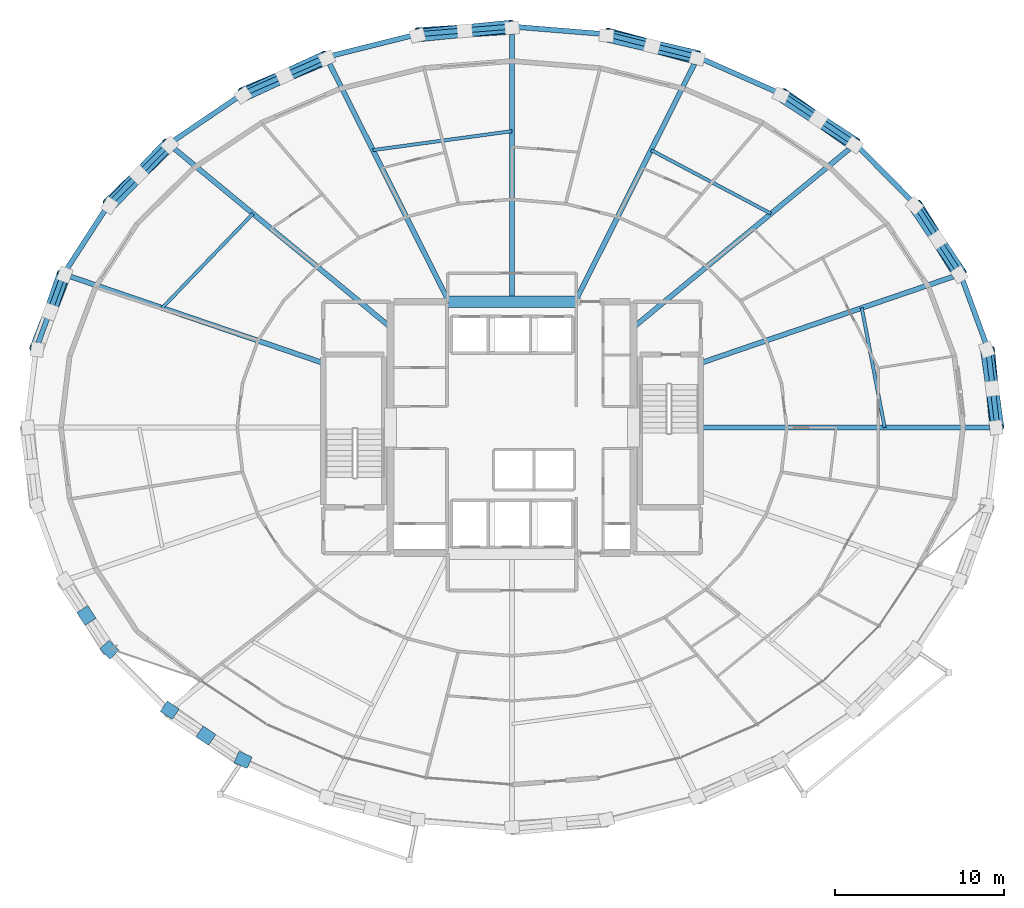
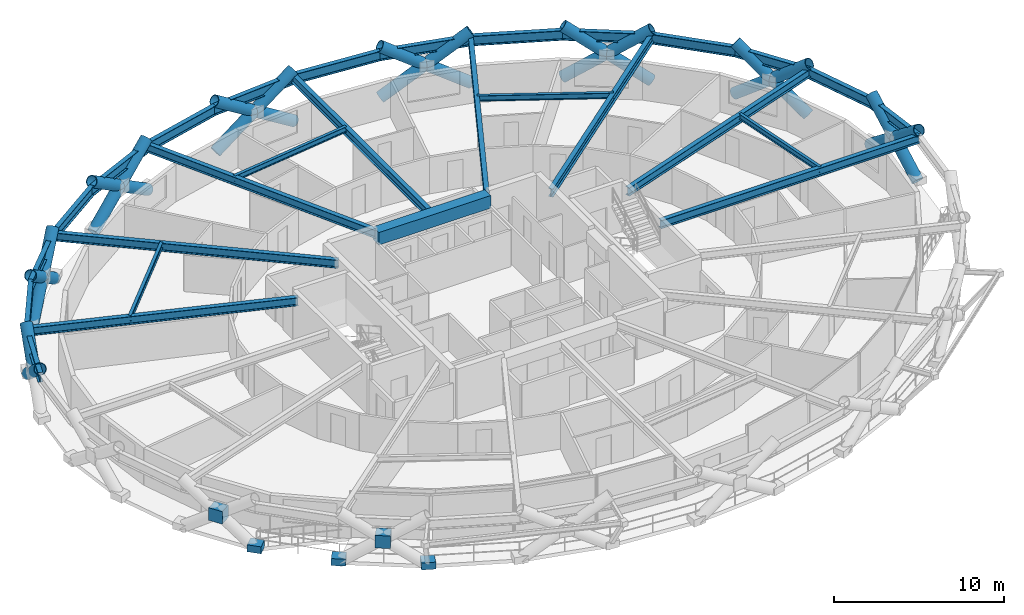
# One storey, part 13 of 21: 28 beams, 23 members, 5 plates.
"""IFC4 building model written with IfcOpenShell, lengths in metres."""

from ifc_helpers import new_model, si_unit, direction, frame, origin, origin_2d, place, context, subcontext, project, spatial, rectangle, hollow_circle, i_section, extrude, material, layer, layer_set, material_profile, profile_set, type_object, element, save


model = new_model("IFC4")

# Units and contexts
model_context = context("Model", 3, precision=1e-05, world=origin(), true_north=direction((0.0, 1.0)))
body_context = subcontext(model_context, "Body", "Model", "MODEL_VIEW")
ifc_project = project(units=[si_unit("LENGTHUNIT", "METRE"), si_unit("AREAUNIT", "SQUARE_METRE"), si_unit("VOLUMEUNIT", "CUBIC_METRE"), si_unit("PLANEANGLEUNIT", "RADIAN"), si_unit("MASSUNIT", "GRAM", prefix="KILO")], contexts=[model_context])

# Site, building, storey
site_placement = place(None, origin())
site = spatial("IfcSite", under=ifc_project, at=site_placement, CompositionType="ELEMENT")
building_placement = place(site_placement, origin())
building = spatial("IfcBuilding", under=site, at=building_placement, Name="Veldorina Hangang Commons", CompositionType="ELEMENT")
storey_placement = place(building_placement, frame((0.0, 0.0, 59.199951171875)))
storey = spatial("IfcBuildingStorey", under=building, at=storey_placement, Name="L14", CompositionType="ELEMENT", Elevation=59.199951171875)

# Beams
ifc_material_1 = material(Name="Concrete C70/85", Category="concrete")
ifc_material_profile_1 = material_profile(ifc_material_1, rectangle(XDim=0.699951171875, YDim=0.89990234375, at=origin_2d()), Name="RC-CB-700x900")
ifc_profile_set_1 = profile_set([ifc_material_profile_1], Name="Concrete C70/85")
beam_type_1 = type_object("IfcBeamType", Name="BM-CB900", PredefinedType="LINTEL", material=ifc_profile_set_1)
beam_1_placement = place(storey_placement, frame((28.199951171875, 31.449951171875, 2.89013671875), z_axis=(1.0, 0.0, 0.0), x_axis=(0.0, 1.0, 0.0)))
element("IfcBeam", 1, at=beam_1_placement, inside=storey, type_object=beam_type_1, Name="L14 north core coupling beam", PredefinedType="LINTEL", context=body_context, shape_type="SweptSolid", body=[
    extrude(rectangle(XDim=0.699951171875, YDim=0.89990234375, at=origin_2d()), origin(), (0.0, 0.0, 1.0), 7.60009765625),
])
ifc_material_2 = material(Name="Steel SM460-TMC", Category="steel")
ifc_material_profile_2 = material_profile(ifc_material_2, i_section(OverallWidth=0.300048828125, OverallDepth=0.587890625, WebThickness=0.011962890625, FlangeThickness=0.02001953125, FilletRadius=0.01806640625, at=origin_2d()), Name="H-588x300x12x20")
ifc_profile_set_2 = profile_set([ifc_material_profile_2], Name="Steel SM460-TMC")
beam_type_2 = type_object("IfcBeamType", Name="BM-FG588", PredefinedType="BEAM", material=ifc_profile_set_2)
beam_2_placement = place(storey_placement, frame((43.179931640625, 24.0, 3.046142578125), z_axis=(1.0, 0.0, 0.0), x_axis=(0.0, 1.0, 0.0)))
element("IfcBeam", 2, at=beam_2_placement, inside=storey, type_object=beam_type_2, Name="L14 radial floor girder 01", PredefinedType="BEAM", context=body_context, shape_type="SweptSolid", body=[
    extrude(i_section(OverallWidth=0.300048828125, OverallDepth=0.587890625, WebThickness=0.011962890625, FlangeThickness=0.02001953125, FilletRadius=0.01806640625, at=origin_2d()), origin(), (0.0, 0.0, 1.0), 17.57373046875),
])
beam_3_placement = place(storey_placement, frame((43.179931640625, 27.82568359375, 3.046142578125), z_axis=(0.94614147517, 0.323753469422, 0.0), x_axis=(-0.323753469422, 0.94614147517, 0.0)))
element("IfcBeam", 3, at=beam_3_placement, inside=storey, type_object=beam_type_2, Name="L14 radial floor girder 02", PredefinedType="BEAM", context=body_context, shape_type="SweptSolid", body=[
    extrude(i_section(OverallWidth=0.300048828125, OverallDepth=0.587890625, WebThickness=0.011962890625, FlangeThickness=0.02001953125, FilletRadius=0.01806640625, at=origin_2d()), origin(), (0.0, 0.0, 1.0), 16.260498046875),
])
beam_4_placement = place(storey_placement, frame((39.199951171875, 29.947998046875, 3.046142578125), z_axis=(0.770951653904, 0.636893670358, 0.0), x_axis=(-0.636893670358, 0.770951653904, 0.0)))
element("IfcBeam", 4, at=beam_4_placement, inside=storey, type_object=beam_type_2, Name="L14 radial floor girder 03", PredefinedType="BEAM", context=body_context, shape_type="SweptSolid", body=[
    extrude(i_section(OverallWidth=0.300048828125, OverallDepth=0.587890625, WebThickness=0.011962890625, FlangeThickness=0.02001953125, FilletRadius=0.01806640625, at=origin_2d()), origin(), (0.0, 0.0, 1.0), 17.033203125),
])
beam_5_placement = place(storey_placement, frame((35.7353515625, 31.449951171875, 3.046142578125), z_axis=(0.448213025421, 0.893926777674, 0.0), x_axis=(-0.893926777674, 0.448213025421, 0.0)))
element("IfcBeam", 5, at=beam_5_placement, inside=storey, type_object=beam_type_2, Name="L14 radial floor girder 04", PredefinedType="BEAM", context=body_context, shape_type="SweptSolid", body=[
    extrude(i_section(OverallWidth=0.300048828125, OverallDepth=0.587890625, WebThickness=0.011962890625, FlangeThickness=0.02001953125, FilletRadius=0.01806640625, at=origin_2d()), origin(), (0.0, 0.0, 1.0), 16.215576171875),
])
beam_6_placement = place(storey_placement, frame((32.0, 31.449951171875, 3.046142578125), z_axis=(0.0, 1.0, 0.0), x_axis=(-1.0, 0.0, 0.0)))
element("IfcBeam", 6, at=beam_6_placement, inside=storey, type_object=beam_type_2, Name="L14 radial floor girder 05", PredefinedType="BEAM", context=body_context, shape_type="SweptSolid", body=[
    extrude(i_section(OverallWidth=0.300048828125, OverallDepth=0.587890625, WebThickness=0.011962890625, FlangeThickness=0.02001953125, FilletRadius=0.01806640625, at=origin_2d()), origin(), (0.0, 0.0, 1.0), 16.3037109375),
])
beam_7_placement = place(storey_placement, frame((28.2646484375, 31.449951171875, 3.046142578125), z_axis=(-0.448213025421, 0.893926777674, 0.0), x_axis=(-0.893926777674, -0.448213025421, 0.0)))
element("IfcBeam", 7, at=beam_7_placement, inside=storey, type_object=beam_type_2, Name="L14 radial floor girder 06", PredefinedType="BEAM", context=body_context, shape_type="SweptSolid", body=[
    extrude(i_section(OverallWidth=0.300048828125, OverallDepth=0.587890625, WebThickness=0.011962890625, FlangeThickness=0.02001953125, FilletRadius=0.01806640625, at=origin_2d()), origin(), (0.0, 0.0, 1.0), 16.215576171875),
])
beam_8_placement = place(storey_placement, frame((24.800048828125, 29.947998046875, 3.046142578125), z_axis=(-0.770951653904, 0.636893670358, 0.0), x_axis=(-0.636893670358, -0.770951653904, 0.0)))
element("IfcBeam", 8, at=beam_8_placement, inside=storey, type_object=beam_type_2, Name="L14 radial floor girder 07", PredefinedType="BEAM", context=body_context, shape_type="SweptSolid", body=[
    extrude(i_section(OverallWidth=0.300048828125, OverallDepth=0.587890625, WebThickness=0.011962890625, FlangeThickness=0.02001953125, FilletRadius=0.01806640625, at=origin_2d()), origin(), (0.0, 0.0, 1.0), 17.033203125),
])
beam_9_placement = place(storey_placement, frame((20.820068359375, 27.82568359375, 3.046142578125), z_axis=(-0.94614147517, 0.323753469422, 0.0), x_axis=(-0.323753469422, -0.94614147517, 0.0)))
element("IfcBeam", 9, at=beam_9_placement, inside=storey, type_object=beam_type_2, Name="L14 radial floor girder 08", PredefinedType="BEAM", context=body_context, shape_type="SweptSolid", body=[
    extrude(i_section(OverallWidth=0.300048828125, OverallDepth=0.587890625, WebThickness=0.011962890625, FlangeThickness=0.02001953125, FilletRadius=0.01806640625, at=origin_2d()), origin(), (0.0, 0.0, 1.0), 16.260498046875),
])
ifc_material_3 = material(Name="Steel SM355-TMC", Category="steel")
ifc_material_profile_3 = material_profile(ifc_material_3, i_section(OverallWidth=0.199951171875, OverallDepth=0.39990234375, WebThickness=0.008056640625, FlangeThickness=0.012939453125, FilletRadius=0.012939453125, at=origin_2d()), Name="H-400x200x8x13")
ifc_profile_set_3 = profile_set([ifc_material_profile_3], Name="Steel SM355-TMC")
beam_type_3 = type_object("IfcBeamType", Name="BM-JST400", PredefinedType="JOIST", material=ifc_profile_set_3)
beam_10_placement = place(storey_placement, frame((54.07568359375, 24.0, 3.14013671875), z_axis=(-0.188018125295, 0.982165558631, 0.0), x_axis=(-0.982165558631, -0.188018125295, 0.0)))
element("IfcBeam", 10, at=beam_10_placement, inside=storey, type_object=beam_type_3, Name="L14 secondary floor joist 01", PredefinedType="JOIST", context=body_context, shape_type="SweptSolid", body=[
    extrude(i_section(OverallWidth=0.199951171875, OverallDepth=0.39990234375, WebThickness=0.008056640625, FlangeThickness=0.012939453125, FilletRadius=0.012939453125, at=origin_2d()), origin(), (0.0, 0.0, 1.0), 7.21826171875),
])
beam_11_placement = place(storey_placement, frame((47.341796875, 36.673828125, 3.14013671875), z_axis=(-0.8835535399, 0.468330163591, 0.0), x_axis=(-0.468330163591, -0.8835535399, 0.0)))
element("IfcBeam", 11, at=beam_11_placement, inside=storey, type_object=beam_type_3, Name="L14 secondary floor joist 03", PredefinedType="JOIST", context=body_context, shape_type="SweptSolid", body=[
    extrude(i_section(OverallWidth=0.199951171875, OverallDepth=0.39990234375, WebThickness=0.008056640625, FlangeThickness=0.012939453125, FilletRadius=0.012939453125, at=origin_2d()), origin(), (0.0, 0.0, 1.0), 8.035888671875),
])
beam_12_placement = place(storey_placement, frame((32.0, 41.55810546875, 3.14013671875), z_axis=(-0.990878687291, -0.134756918459, 0.0), x_axis=(0.134756918459, -0.990878687291, 0.0)))
element("IfcBeam", 12, at=beam_12_placement, inside=storey, type_object=beam_type_3, Name="L14 secondary floor joist 05", PredefinedType="JOIST", context=body_context, shape_type="SweptSolid", body=[
    extrude(i_section(OverallWidth=0.199951171875, OverallDepth=0.39990234375, WebThickness=0.008056640625, FlangeThickness=0.012939453125, FilletRadius=0.012939453125, at=origin_2d()), origin(), (0.0, 0.0, 1.0), 8.317626953125),
])
beam_13_placement = place(storey_placement, frame((16.658203125, 36.673828125, 3.14013671875), z_axis=(-0.693595083278, -0.720365088308, 0.0), x_axis=(0.720365088308, -0.693595083278, 0.0)))
element("IfcBeam", 13, at=beam_13_placement, inside=storey, type_object=beam_type_3, Name="L14 secondary floor joist 07", PredefinedType="JOIST", context=body_context, shape_type="SweptSolid", body=[
    extrude(i_section(OverallWidth=0.199951171875, OverallDepth=0.39990234375, WebThickness=0.008056640625, FlangeThickness=0.012939453125, FilletRadius=0.012939453125, at=origin_2d()), origin(), (0.0, 0.0, 1.0), 7.751953125),
])
ifc_material_profile_4 = material_profile(ifc_material_2, i_section(OverallWidth=0.300048828125, OverallDepth=0.699951171875, WebThickness=0.012939453125, FlangeThickness=0.02392578125, FilletRadius=0.02197265625, at=origin_2d()), Name="H-700x300x13x24")
ifc_profile_set_4 = profile_set([ifc_material_profile_4], Name="Steel SM460-TMC")
beam_type_4 = type_object("IfcBeamType", Name="BM-RB700", PredefinedType="BEAM", material=ifc_profile_set_4)
beam_14_placement = place(storey_placement, frame((60.753662109375, 24.0, 2.989990234375), z_axis=(-0.118386058551, 0.992967643552, 0.0), x_axis=(-0.992967643552, -0.118386058551, 0.0)))
element("IfcBeam", 14, at=beam_14_placement, inside=storey, type_object=beam_type_4, Name="L14 perimeter hoop ring beam 00", PredefinedType="BEAM", context=body_context, shape_type="SweptSolid", body=[
    extrude(i_section(OverallWidth=0.300048828125, OverallDepth=0.699951171875, WebThickness=0.012939453125, FlangeThickness=0.02392578125, FilletRadius=0.02197265625, at=origin_2d()), origin(), (0.0, 0.0, 1.0), 4.666748046875),
])
beam_15_placement = place(storey_placement, frame((60.201171875, 28.634033203125, 2.989990234375), z_axis=(-0.344735154513, 0.938699991074, 0.0), x_axis=(-0.938699991074, -0.344735154513, 0.0)))
element("IfcBeam", 15, at=beam_15_placement, inside=storey, type_object=beam_type_4, Name="L14 perimeter hoop ring beam 01", PredefinedType="BEAM", context=body_context, shape_type="SweptSolid", body=[
    extrude(i_section(OverallWidth=0.300048828125, OverallDepth=0.699951171875, WebThickness=0.012939453125, FlangeThickness=0.02392578125, FilletRadius=0.02197265625, at=origin_2d()), origin(), (0.0, 0.0, 1.0), 4.7470703125),
])
beam_16_placement = place(storey_placement, frame((58.564697265625, 33.090087890625, 2.989990234375), z_axis=(-0.543209885718, 0.839596939048, 0.0), x_axis=(-0.839596939048, -0.543209885718, 0.0)))
element("IfcBeam", 16, at=beam_16_placement, inside=storey, type_object=beam_type_4, Name="L14 perimeter hoop ring beam 02", PredefinedType="BEAM", context=body_context, shape_type="SweptSolid", body=[
    extrude(i_section(OverallWidth=0.300048828125, OverallDepth=0.699951171875, WebThickness=0.012939453125, FlangeThickness=0.02392578125, FilletRadius=0.02197265625, at=origin_2d()), origin(), (0.0, 0.0, 1.0), 4.891357421875),
])
beam_17_placement = place(storey_placement, frame((55.90771484375, 37.19677734375, 2.989990234375), z_axis=(-0.704769257214, 0.709436603289, 0.0), x_axis=(-0.709436603289, -0.704769257214, 0.0)))
element("IfcBeam", 17, at=beam_17_placement, inside=storey, type_object=beam_type_4, Name="L14 perimeter hoop ring beam 03", PredefinedType="BEAM", context=body_context, shape_type="SweptSolid", body=[
    extrude(i_section(OverallWidth=0.300048828125, OverallDepth=0.699951171875, WebThickness=0.012939453125, FlangeThickness=0.02392578125, FilletRadius=0.02197265625, at=origin_2d()), origin(), (0.0, 0.0, 1.0), 5.073974609375),
])
beam_18_placement = place(storey_placement, frame((52.331787109375, 40.79638671875, 2.989990234375), z_axis=(-0.827701196012, 0.561169074452, 0.0), x_axis=(-0.561169074452, -0.827701196012, 0.0)))
element("IfcBeam", 18, at=beam_18_placement, inside=storey, type_object=beam_type_4, Name="L14 perimeter hoop ring beam 04", PredefinedType="BEAM", context=body_context, shape_type="SweptSolid", body=[
    extrude(i_section(OverallWidth=0.300048828125, OverallDepth=0.699951171875, WebThickness=0.012939453125, FlangeThickness=0.02392578125, FilletRadius=0.02197265625, at=origin_2d()), origin(), (0.0, 0.0, 1.0), 5.26416015625),
])
beam_19_placement = place(storey_placement, frame((47.974609375, 43.75048828125, 2.989990234375), z_axis=(-0.914788929434, 0.403932190578, 0.0), x_axis=(-0.403932190578, -0.914788929434, 0.0)))
element("IfcBeam", 19, at=beam_19_placement, inside=storey, type_object=beam_type_4, Name="L14 perimeter hoop ring beam 05", PredefinedType="BEAM", context=body_context, shape_type="SweptSolid", body=[
    extrude(i_section(OverallWidth=0.300048828125, OverallDepth=0.699951171875, WebThickness=0.012939453125, FlangeThickness=0.02392578125, FilletRadius=0.02197265625, at=origin_2d()), origin(), (0.0, 0.0, 1.0), 5.434326171875),
])
beam_20_placement = place(storey_placement, frame((43.00341796875, 45.945556640625, 2.989990234375), z_axis=(-0.970010639705, 0.243062458761, 0.0), x_axis=(-0.243062458761, -0.970010639705, 0.0)))
element("IfcBeam", 20, at=beam_20_placement, inside=storey, type_object=beam_type_4, Name="L14 perimeter hoop ring beam 06", PredefinedType="BEAM", context=body_context, shape_type="SweptSolid", body=[
    extrude(i_section(OverallWidth=0.300048828125, OverallDepth=0.699951171875, WebThickness=0.012939453125, FlangeThickness=0.02392578125, FilletRadius=0.02197265625, at=origin_2d()), origin(), (0.0, 0.0, 1.0), 5.560546875),
])
for number, where, z_axis, x_axis, name in (
    (21, (37.609619140625, 47.297119140625, 2.989990234375), (-0.996704543114, 0.081117530384, 0.0), (-0.081117530384, -0.996704543114, 0.0), "L14 perimeter hoop ring beam 07"),
    (22, (32.0, 47.753662109375, 2.989990234375), (-0.996704543114, -0.081117530384, 0.0), (0.081117530384, -0.996704543114, 0.0), "L14 perimeter hoop ring beam 08"),
):
    element("IfcBeam", number, at=place(storey_placement, frame(where, z_axis=z_axis, x_axis=x_axis)), inside=storey, type_object=beam_type_4, Name=name, PredefinedType="BEAM", context=body_context, shape_type="SweptSolid", body=[
        extrude(i_section(OverallWidth=0.300048828125, OverallDepth=0.699951171875, WebThickness=0.012939453125, FlangeThickness=0.02392578125, FilletRadius=0.02197265625, at=origin_2d()), origin(), (0.0, 0.0, 1.0), 5.628173828125),
    ])
beam_21_placement = place(storey_placement, frame((26.390380859375, 47.297119140625, 2.989990234375), z_axis=(-0.970010639705, -0.243062458761, 0.0), x_axis=(0.243062458761, -0.970010639705, 0.0)))
element("IfcBeam", 23, at=beam_21_placement, inside=storey, type_object=beam_type_4, Name="L14 perimeter hoop ring beam 09", PredefinedType="BEAM", context=body_context, shape_type="SweptSolid", body=[
    extrude(i_section(OverallWidth=0.300048828125, OverallDepth=0.699951171875, WebThickness=0.012939453125, FlangeThickness=0.02392578125, FilletRadius=0.02197265625, at=origin_2d()), origin(), (0.0, 0.0, 1.0), 5.560546875),
])
beam_22_placement = place(storey_placement, frame((20.99658203125, 45.945556640625, 2.989990234375), z_axis=(-0.914788929434, -0.403932190578, 0.0), x_axis=(0.403932190578, -0.914788929434, 0.0)))
element("IfcBeam", 24, at=beam_22_placement, inside=storey, type_object=beam_type_4, Name="L14 perimeter hoop ring beam 10", PredefinedType="BEAM", context=body_context, shape_type="SweptSolid", body=[
    extrude(i_section(OverallWidth=0.300048828125, OverallDepth=0.699951171875, WebThickness=0.012939453125, FlangeThickness=0.02392578125, FilletRadius=0.02197265625, at=origin_2d()), origin(), (0.0, 0.0, 1.0), 5.434326171875),
])
beam_23_placement = place(storey_placement, frame((16.025390625, 43.75048828125, 2.989990234375), z_axis=(-0.827701196012, -0.561169074452, 0.0), x_axis=(0.561169074452, -0.827701196012, 0.0)))
element("IfcBeam", 25, at=beam_23_placement, inside=storey, type_object=beam_type_4, Name="L14 perimeter hoop ring beam 11", PredefinedType="BEAM", context=body_context, shape_type="SweptSolid", body=[
    extrude(i_section(OverallWidth=0.300048828125, OverallDepth=0.699951171875, WebThickness=0.012939453125, FlangeThickness=0.02392578125, FilletRadius=0.02197265625, at=origin_2d()), origin(), (0.0, 0.0, 1.0), 5.26416015625),
])
beam_24_placement = place(storey_placement, frame((11.668212890625, 40.79638671875, 2.989990234375), z_axis=(-0.704769257214, -0.709436603289, 0.0), x_axis=(0.709436603289, -0.704769257214, 0.0)))
element("IfcBeam", 26, at=beam_24_placement, inside=storey, type_object=beam_type_4, Name="L14 perimeter hoop ring beam 12", PredefinedType="BEAM", context=body_context, shape_type="SweptSolid", body=[
    extrude(i_section(OverallWidth=0.300048828125, OverallDepth=0.699951171875, WebThickness=0.012939453125, FlangeThickness=0.02392578125, FilletRadius=0.02197265625, at=origin_2d()), origin(), (0.0, 0.0, 1.0), 5.073974609375),
])
beam_25_placement = place(storey_placement, frame((8.09228515625, 37.19677734375, 2.989990234375), z_axis=(-0.543209885718, -0.839596939048, 0.0), x_axis=(0.839596939048, -0.543209885718, 0.0)))
element("IfcBeam", 27, at=beam_25_placement, inside=storey, type_object=beam_type_4, Name="L14 perimeter hoop ring beam 13", PredefinedType="BEAM", context=body_context, shape_type="SweptSolid", body=[
    extrude(i_section(OverallWidth=0.300048828125, OverallDepth=0.699951171875, WebThickness=0.012939453125, FlangeThickness=0.02392578125, FilletRadius=0.02197265625, at=origin_2d()), origin(), (0.0, 0.0, 1.0), 4.891357421875),
])
beam_26_placement = place(storey_placement, frame((5.435302734375, 33.090087890625, 2.989990234375), z_axis=(-0.344735154513, -0.938699991074, 0.0), x_axis=(0.938699991074, -0.344735154513, 0.0)))
element("IfcBeam", 28, at=beam_26_placement, inside=storey, type_object=beam_type_4, Name="L14 perimeter hoop ring beam 14", PredefinedType="BEAM", context=body_context, shape_type="SweptSolid", body=[
    extrude(i_section(OverallWidth=0.300048828125, OverallDepth=0.699951171875, WebThickness=0.012939453125, FlangeThickness=0.02392578125, FilletRadius=0.02197265625, at=origin_2d()), origin(), (0.0, 0.0, 1.0), 4.7470703125),
])

# Members
ifc_material_profile_5 = material_profile(ifc_material_2, hollow_circle(Radius=0.375, WallThickness=0.035888671875, at=origin_2d()), Name="CHS-750x36")
ifc_profile_set_5 = profile_set([ifc_material_profile_5], Name="Steel SM460-TMC")
member_type = type_object("IfcMemberType", Name="DG-CHS750", PredefinedType="BRACE", material=ifc_profile_set_5)
member_1_placement = place(storey_placement, frame((60.672607421875, 24.0, 0.0), z_axis=(-0.077327016469, 0.787533163971, 0.611401707693), x_axis=(-0.995214048352, -0.097718974422, 0.0)))
element("IfcMember", 29, at=member_1_placement, inside=storey, type_object=member_type, Name="L14 continuous perimeter diagrid brace 00", PredefinedType="BRACE", context=body_context, shape_type="SweptSolid", body=[
    extrude(hollow_circle(Radius=0.375, WallThickness=0.035888671875, at=origin_2d()), origin(), (0.0, 0.0, 1.0), 5.88818359375),
])
member_2_placement = place(storey_placement, frame((60.121826171875, 28.618408203125, 0.0), z_axis=(0.110120903271, -0.783884770723, 0.611063051486), x_axis=(0.990276235489, 0.139114979157, 0.0)))
element("IfcMember", 30, at=member_2_placement, inside=storey, type_object=member_type, Name="L14 split perimeter diagrid lower brace 01", PredefinedType="BRACE", context=body_context, shape_type="SweptSolid", body=[
    extrude(hollow_circle(Radius=0.375, WallThickness=0.035888671875, at=origin_2d()), origin(), (0.0, 0.0, 1.0), 2.939697265625),
])
member_3_placement = place(storey_placement, frame((60.445556640625, 26.31396484375, 1.79638671875), z_axis=(0.109920606781, -0.783918368001, 0.611056014221), x_axis=(0.990311882498, 0.13886099302, 0.0)))
element("IfcMember", 31, at=member_3_placement, inside=storey, type_object=member_type, Name="L14 split perimeter diagrid upper brace 01", PredefinedType="BRACE", context=body_context, shape_type="SweptSolid", body=[
    extrude(hollow_circle(Radius=0.375, WallThickness=0.035888671875, at=origin_2d()), origin(), (0.0, 0.0, 1.0), 2.951904296875),
])
member_4_placement = place(storey_placement, frame((58.489990234375, 33.05908203125, 0.0), z_axis=(-0.423676209003, 0.684019017786, 0.593815167566), x_axis=(-0.850133926009, -0.526566527466, 0.0)))
element("IfcMember", 32, at=member_4_placement, inside=storey, type_object=member_type, Name="L14 continuous perimeter diagrid brace 02", PredefinedType="BRACE", context=body_context, shape_type="SweptSolid", body=[
    extrude(hollow_circle(Radius=0.375, WallThickness=0.035888671875, at=origin_2d()), origin(), (0.0, 0.0, 1.0), 6.062744140625),
])
member_5_placement = place(storey_placement, frame((55.840576171875, 37.15185546875, 0.0), z_axis=(0.451087890607, -0.667371731051, 0.592566188321), x_axis=(0.828496212994, 0.559994665202, 0.0)))
element("IfcMember", 33, at=member_5_placement, inside=storey, type_object=member_type, Name="L14 split perimeter diagrid lower brace 03", PredefinedType="BRACE", context=body_context, shape_type="SweptSolid", body=[
    extrude(hollow_circle(Radius=0.375, WallThickness=0.035888671875, at=origin_2d()), origin(), (0.0, 0.0, 1.0), 3.031982421875),
])
member_6_placement = place(storey_placement, frame((57.208251953125, 35.12841796875, 1.796630859375), z_axis=(0.450728477655, -0.66763002661, 0.592548721203), x_axis=(0.828803648784, 0.559539553349, 0.0)))
element("IfcMember", 34, at=member_6_placement, inside=storey, type_object=member_type, Name="L14 split perimeter diagrid upper brace 03", PredefinedType="BRACE", context=body_context, shape_type="SweptSolid", body=[
    extrude(hollow_circle(Radius=0.375, WallThickness=0.035888671875, at=origin_2d()), origin(), (0.0, 0.0, 1.0), 3.04345703125),
])
member_7_placement = place(storey_placement, frame((52.274658203125, 40.739013671875, 0.0), z_axis=(-0.674038871636, 0.475221374591, 0.565540665784), x_axis=(-0.576221187924, -0.817293792089, 0.0)))
element("IfcMember", 35, at=member_7_placement, inside=storey, type_object=member_type, Name="L14 continuous perimeter diagrid brace 04", PredefinedType="BRACE", context=body_context, shape_type="SweptSolid", body=[
    extrude(hollow_circle(Radius=0.375, WallThickness=0.035888671875, at=origin_2d()), origin(), (0.0, 0.0, 1.0), 6.36572265625),
])
member_8_placement = place(storey_placement, frame((47.9296875, 43.68310546875, 0.0), z_axis=(0.691909499098, -0.450412000798, 0.564260821425), x_axis=(0.545559426456, 0.838072140215, 0.0)))
element("IfcMember", 36, at=member_8_placement, inside=storey, type_object=member_type, Name="L14 split perimeter diagrid lower brace 05", PredefinedType="BRACE", context=body_context, shape_type="SweptSolid", body=[
    extrude(hollow_circle(Radius=0.375, WallThickness=0.035888671875, at=origin_2d()), origin(), (0.0, 0.0, 1.0), 3.1845703125),
])
member_9_placement = place(storey_placement, frame((50.133056640625, 42.248779296875, 1.796875), z_axis=(0.691669777311, -0.45080001722, 0.564244861411), x_axis=(0.546022195488, 0.837770709702, 0.0)))
element("IfcMember", 37, at=member_9_placement, inside=storey, type_object=member_type, Name="L14 split perimeter diagrid upper brace 05", PredefinedType="BRACE", context=body_context, shape_type="SweptSolid", body=[
    extrude(hollow_circle(Radius=0.375, WallThickness=0.035888671875, at=origin_2d()), origin(), (0.0, 0.0, 1.0), 3.19580078125),
])
member_10_placement = place(storey_placement, frame((42.97265625, 45.87060546875, 0.0), z_axis=(-0.810143391666, 0.218089981085, 0.54415479883), x_axis=(-0.259945080944, -0.965623402209, 0.0)))
element("IfcMember", 38, at=member_10_placement, inside=storey, type_object=member_type, Name="L14 continuous perimeter diagrid brace 06", PredefinedType="BRACE", context=body_context, shape_type="SweptSolid", body=[
    extrude(hollow_circle(Radius=0.375, WallThickness=0.035888671875, at=origin_2d()), origin(), (0.0, 0.0, 1.0), 6.615966796875),
])
member_11_placement = place(storey_placement, frame((37.59375, 47.2177734375, 0.0), z_axis=(0.817725567254, -0.189626084225, 0.543476627686), x_axis=(0.225900160695, 0.974150459322, 0.0)))
element("IfcMember", 39, at=member_11_placement, inside=storey, type_object=member_type, Name="L14 split perimeter diagrid lower brace 07", PredefinedType="BRACE", context=body_context, shape_type="SweptSolid", body=[
    extrude(hollow_circle(Radius=0.375, WallThickness=0.035888671875, at=origin_2d()), origin(), (0.0, 0.0, 1.0), 3.30615234375),
])
member_12_placement = place(storey_placement, frame((40.29736328125, 46.5908203125, 1.796875), z_axis=(0.817604615265, -0.189940370117, 0.543548846836), x_axis=(0.226287172988, 0.974060632272, 0.0)))
element("IfcMember", 40, at=member_12_placement, inside=storey, type_object=member_type, Name="L14 split perimeter diagrid upper brace 07", PredefinedType="BRACE", context=body_context, shape_type="SweptSolid", body=[
    extrude(hollow_circle(Radius=0.375, WallThickness=0.035888671875, at=origin_2d()), origin(), (0.0, 0.0, 1.0), 3.3173828125),
])
member_13_placement = place(storey_placement, frame((32.0, 47.672607421875, 0.0), z_axis=(-0.840514246432, -0.053779750174, 0.5391136615), x_axis=(0.063853765997, -0.997959265986, 0.0)))
element("IfcMember", 41, at=member_13_placement, inside=storey, type_object=member_type, Name="L14 continuous perimeter diagrid brace 08", PredefinedType="BRACE", context=body_context, shape_type="SweptSolid", body=[
    extrude(hollow_circle(Radius=0.375, WallThickness=0.035888671875, at=origin_2d()), origin(), (0.0, 0.0, 1.0), 6.677734375),
])
member_14_placement = place(storey_placement, frame((26.40625, 47.2177734375, 0.0), z_axis=(0.838040295762, 0.082726894633, 0.539300216561), x_axis=(-0.098237217522, 0.99516302639, 0.0)))
element("IfcMember", 42, at=member_14_placement, inside=storey, type_object=member_type, Name="L14 split perimeter diagrid lower brace 09", PredefinedType="BRACE", context=body_context, shape_type="SweptSolid", body=[
    extrude(hollow_circle(Radius=0.375, WallThickness=0.035888671875, at=origin_2d()), origin(), (0.0, 0.0, 1.0), 3.331787109375),
])
member_15_placement = place(storey_placement, frame((29.198486328125, 47.493408203125, 1.796875), z_axis=(0.837988005081, 0.08273990499, 0.539379468892), x_axis=(-0.098258589828, 0.995160916397, 0.0)))
element("IfcMember", 43, at=member_15_placement, inside=storey, type_object=member_type, Name="L14 split perimeter diagrid upper brace 09", PredefinedType="BRACE", context=body_context, shape_type="SweptSolid", body=[
    extrude(hollow_circle(Radius=0.375, WallThickness=0.035888671875, at=origin_2d()), origin(), (0.0, 0.0, 1.0), 3.34326171875),
])
member_16_placement = place(storey_placement, frame((21.02734375, 45.87060546875, 0.0), z_axis=(-0.768595024158, -0.323075020386, 0.552163218661), x_axis=(0.387502765764, -0.921868540805, 0.0)))
element("IfcMember", 44, at=member_16_placement, inside=storey, type_object=member_type, Name="L14 continuous perimeter diagrid brace 10", PredefinedType="BRACE", context=body_context, shape_type="SweptSolid", body=[
    extrude(hollow_circle(Radius=0.375, WallThickness=0.035888671875, at=origin_2d()), origin(), (0.0, 0.0, 1.0), 6.52001953125),
])
member_17_placement = place(storey_placement, frame((16.0703125, 43.68310546875, 0.0), z_axis=(0.756053408945, 0.349803416366, 0.553191479256), x_axis=(-0.419904785079, 0.907568163538, 0.0)))
element("IfcMember", 45, at=member_17_placement, inside=storey, type_object=member_type, Name="L14 split perimeter diagrid lower brace 11", PredefinedType="BRACE", context=body_context, shape_type="SweptSolid", body=[
    extrude(hollow_circle(Radius=0.375, WallThickness=0.035888671875, at=origin_2d()), origin(), (0.0, 0.0, 1.0), 3.248291015625),
])
member_18_placement = place(storey_placement, frame((18.526123046875, 44.8193359375, 1.796875), z_axis=(0.75591382059, 0.350133469856, 0.553173434943), x_axis=(-0.420294936772, 0.907387550126, 0.0)))
element("IfcMember", 46, at=member_18_placement, inside=storey, type_object=member_type, Name="L14 split perimeter diagrid upper brace 11", PredefinedType="BRACE", context=body_context, shape_type="SweptSolid", body=[
    extrude(hollow_circle(Radius=0.375, WallThickness=0.035888671875, at=origin_2d()), origin(), (0.0, 0.0, 1.0), 3.259765625),
])
member_19_placement = place(storey_placement, frame((11.725341796875, 40.739013671875, 0.0), z_axis=(-0.58589161731, -0.567613148161, 0.57839979841), x_axis=(0.695814594266, -0.71822144942, 0.0)))
element("IfcMember", 47, at=member_19_placement, inside=storey, type_object=member_type, Name="L14 continuous perimeter diagrid brace 12", PredefinedType="BRACE", context=body_context, shape_type="SweptSolid", body=[
    extrude(hollow_circle(Radius=0.375, WallThickness=0.035888671875, at=origin_2d()), origin(), (0.0, 0.0, 1.0), 6.22412109375),
])
member_20_placement = place(storey_placement, frame((8.159423828125, 37.15185546875, 0.0), z_axis=(0.563389654498, 0.588600770348, 0.5797768798), x_axis=(-0.722408717033, 0.691466301098, 0.0)))
element("IfcMember", 48, at=member_20_placement, inside=storey, type_object=member_type, Name="L14 split perimeter diagrid lower brace 13", PredefinedType="BRACE", context=body_context, shape_type="SweptSolid", body=[
    extrude(hollow_circle(Radius=0.375, WallThickness=0.035888671875, at=origin_2d()), origin(), (0.0, 0.0, 1.0), 3.098876953125),
])
member_21_placement = place(storey_placement, frame((9.9052734375, 38.975830078125, 1.796630859375), z_axis=(0.562965450258, 0.589022125217, 0.579761017852), x_axis=(-0.722915845162, 0.690936090253, 0.0)))
element("IfcMember", 49, at=member_21_placement, inside=storey, type_object=member_type, Name="L14 split perimeter diagrid upper brace 13", PredefinedType="BRACE", context=body_context, shape_type="SweptSolid", body=[
    extrude(hollow_circle(Radius=0.375, WallThickness=0.035888671875, at=origin_2d()), origin(), (0.0, 0.0, 1.0), 3.110595703125),
])
member_22_placement = place(storey_placement, frame((5.510009765625, 33.05908203125, 0.0), z_axis=(-0.289914053157, -0.742179976081, 0.604250548106), x_axis=(0.93145734948, -0.36385052714, 0.0)))
element("IfcMember", 50, at=member_22_placement, inside=storey, type_object=member_type, Name="L14 continuous perimeter diagrid brace 14", PredefinedType="BRACE", context=body_context, shape_type="SweptSolid", body=[
    extrude(hollow_circle(Radius=0.375, WallThickness=0.035888671875, at=origin_2d()), origin(), (0.0, 0.0, 1.0), 5.9580078125),
])
member_23_placement = place(storey_placement, frame((4.64794921875, 30.852783203125, 1.79638671875), z_axis=(0.259009073753, 0.752780957556, 0.605173635955), x_axis=(-0.945593641768, 0.325350064774, 0.0)))
element("IfcMember", 51, at=member_23_placement, inside=storey, type_object=member_type, Name="L14 split perimeter diagrid upper brace 15", PredefinedType="BRACE", context=body_context, shape_type="SweptSolid", body=[
    extrude(hollow_circle(Radius=0.375, WallThickness=0.035888671875, at=origin_2d()), origin(), (0.0, 0.0, 1.0), 2.98046875),
])

# Plates
ifc_layer = layer(ifc_material_2, 0.035888671875)
ifc_layer_set = layer_set([ifc_layer], Name="Steel SM460-TMC")
plate_type = type_object("IfcPlateType", Name="PL-STAR-36", PredefinedType="USERDEFINED", material=ifc_layer_set)
plate_1_placement = place(storey_placement, frame((6.791748046875, 12.87158203125, 1.3466796875), z_axis=(0.0, 0.0, 1.0), x_axis=(0.543467499475, -0.839430209734, 0.0)))
element("IfcPlate", 52, at=plate_1_placement, inside=storey, type_object=plate_type, Name="L14 diagrid X-crossing star-node gusset plate 18", ObjectType="GUSSET PLATE", PredefinedType="USERDEFINED", context=body_context, shape_type="SweptSolid", body=[
    extrude(rectangle(XDim=0.89990234375, YDim=0.780029296875, at=origin_2d()), origin(), (0.0, 0.0, 1.0), 0.89990234375),
])
for number, where, z_axis, x_axis, name in (
    (53, (8.159423828125, 10.84814453125, -0.08984375), (0.0, 0.0, 1.0), (0.704980887487, -0.709226302585, 0.0), "L14 diagrid star-node gusset plate 19"),
    (54, (11.725341796875, 7.260986328125, -0.08984375), (0.0, 0.0, 1.0), (0.827864584251, -0.560928007986, 0.0), "L14 diagrid star-node gusset plate 20"),
):
    element("IfcPlate", number, at=place(storey_placement, frame(where, z_axis=z_axis, x_axis=x_axis)), inside=storey, type_object=plate_type, Name=name, ObjectType="GUSSET PLATE", PredefinedType="USERDEFINED", context=body_context, shape_type="SweptSolid", body=[
        extrude(rectangle(XDim=0.85009765625, YDim=0.75, at=origin_2d()), origin(), (0.0, 0.0, 1.0), 0.5),
    ])
plate_2_placement = place(storey_placement, frame((13.866943359375, 5.751220703125, 1.346923828125), z_axis=(0.0, 0.0, 1.0), x_axis=(0.827864584251, -0.560928007986, 0.0)))
element("IfcPlate", 55, at=plate_2_placement, inside=storey, type_object=plate_type, Name="L14 diagrid X-crossing star-node gusset plate 20", ObjectType="GUSSET PLATE", PredefinedType="USERDEFINED", context=body_context, shape_type="SweptSolid", body=[
    extrude(rectangle(XDim=0.89990234375, YDim=0.780029296875, at=origin_2d()), origin(), (0.0, 0.0, 1.0), 0.89990234375),
])
plate_3_placement = place(storey_placement, frame((16.0703125, 4.31689453125, -0.08984375), z_axis=(0.0, 0.0, 1.0), x_axis=(0.914875129454, -0.403736916205, 0.0)))
element("IfcPlate", 56, at=plate_3_placement, inside=storey, type_object=plate_type, Name="L14 diagrid star-node gusset plate 21", ObjectType="GUSSET PLATE", PredefinedType="USERDEFINED", context=body_context, shape_type="SweptSolid", body=[
    extrude(rectangle(XDim=0.85009765625, YDim=0.75, at=origin_2d()), origin(), (0.0, 0.0, 1.0), 0.5),
])

save(model, "model.ifc")
